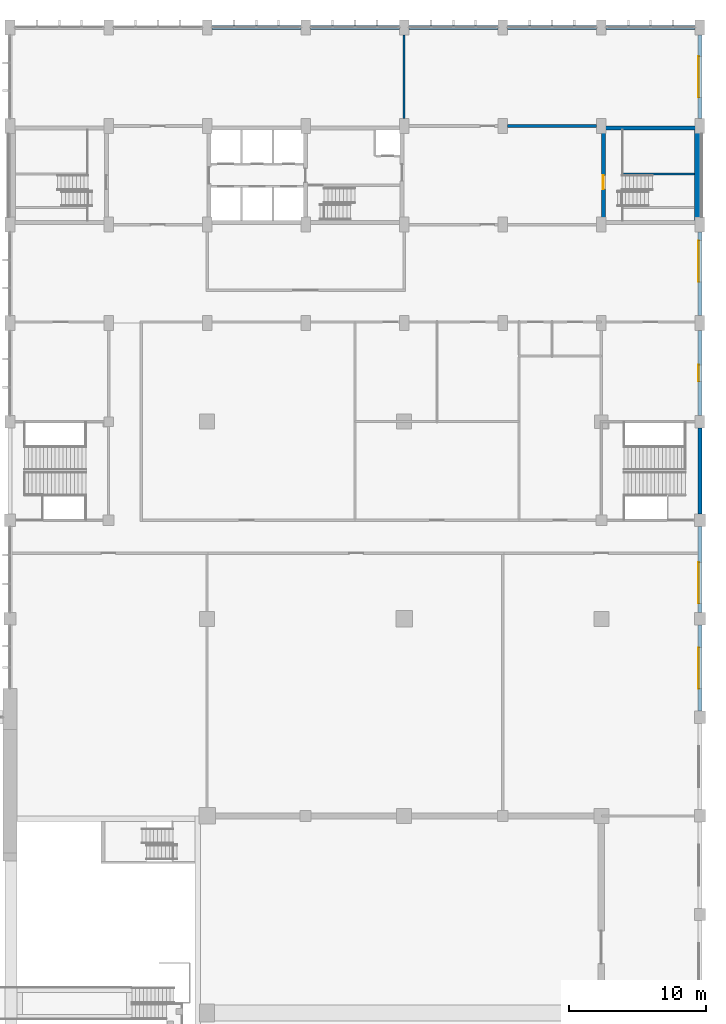
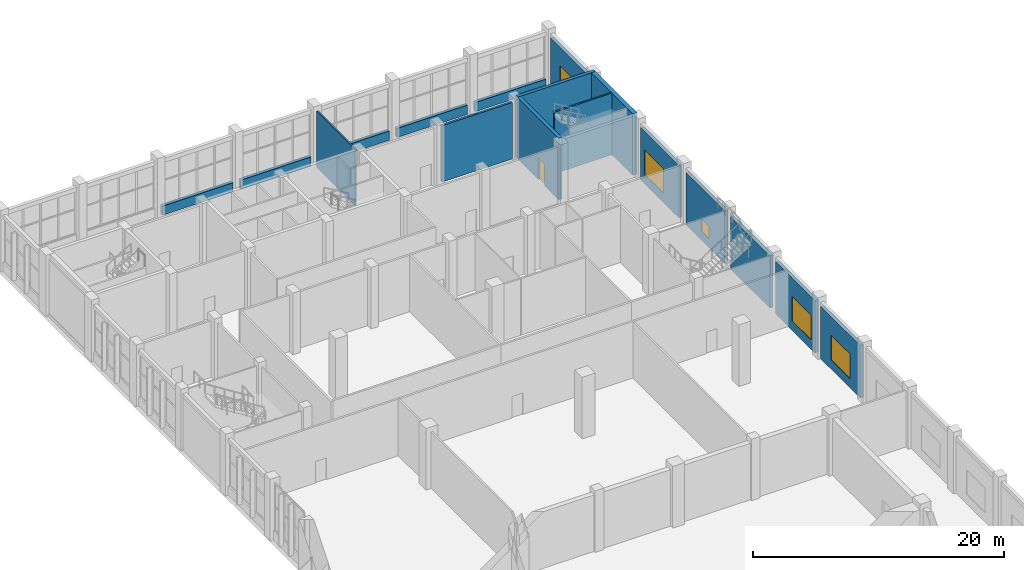
# One storey, part 37 of 44: 17 walls, 5 windows, 1 door, 6 openings.
"""IFC4 building model written with IfcOpenShell, lengths in metres."""

from ifc_helpers import new_model, si_unit, direction, frame, frame_2d, origin, place, context, subcontext, project, spatial, rectangle, extrude, material, layer, layer_set, type_object, element, fill, save


model = new_model("IFC4")

# Units and contexts
model_context = context("Model", 3, precision=1e-05, world=origin(), true_north=direction((0.0, 1.0)))
body_context = subcontext(model_context, "Body", "Model", "MODEL_VIEW")
ifc_project = project(units=[si_unit("LENGTHUNIT", "METRE"), si_unit("AREAUNIT", "SQUARE_METRE"), si_unit("VOLUMEUNIT", "CUBIC_METRE"), si_unit("PLANEANGLEUNIT", "RADIAN"), si_unit("MASSUNIT", "GRAM", prefix="KILO")], contexts=[model_context])

# Site, building, storey
site_placement = place(None, origin())
site = spatial("IfcSite", under=ifc_project, at=site_placement, CompositionType="ELEMENT")
building_placement = place(site_placement, origin())
building = spatial("IfcBuilding", under=site, at=building_placement, Name="Vermilion Court Aquatics Centre", CompositionType="ELEMENT")
storey_placement = place(building_placement, frame((0.0, 0.0, 6.0)))
storey = spatial("IfcBuildingStorey", under=building, at=storey_placement, Name="L01", CompositionType="ELEMENT", Elevation=6.0)

# Walls
ifc_material_1 = material(Name="Concrete 8000 psi", Category="concrete")
ifc_layer_1 = layer(ifc_material_1, 0.39990234375)
ifc_layer_set_1 = layer_set([ifc_layer_1], Name="North block core brick-faced shear wall 400")
wall_type_1 = type_object("IfcWallType", Name="North block core brick-faced shear wall 400", PredefinedType="SHEAR", material=ifc_layer_set_1)
wall_1_placement = place(storey_placement, frame((194.199951171875, 101.10009765625, 0.0), z_axis=(0.0, 0.0, 1.0), x_axis=(0.0, 1.0, 0.0)))
element("IfcWall", 1, at=wall_1_placement, inside=storey, type_object=wall_type_1, Name="Stair 2 shear wall outer L01", PredefinedType="SHEAR", context=body_context, shape_type="SweptSolid", body=[
    extrude(rectangle(XDim=6.599853515625, YDim=0.39990234375, at=frame_2d((3.2998046875, 0.0))), origin(), (0.0, 0.0, 1.0), 6.0),
])
ifc_material_2 = material(Name="Concrete 8000 psi", Category="concrete")
ifc_layer_2 = layer(ifc_material_2, 0.300048828125)
ifc_layer_set_2 = layer_set([ifc_layer_2], Name="North block core shear wall 300")
wall_type_2 = type_object("IfcWallType", Name="North block core shear wall 300", PredefinedType="SHEAR", material=ifc_layer_set_2)
wall_2_placement = place(storey_placement, frame((194.39990234375, 107.85009765625, 0.0), z_axis=(0.0, 0.0, 1.0), x_axis=(-1.0, 0.0, 0.0)))
element("IfcWall", 2, at=wall_2_placement, inside=storey, type_object=wall_type_2, Name="Stair 2 shear wall north L01", PredefinedType="SHEAR", context=body_context, shape_type="SweptSolid", body=[
    extrude(rectangle(XDim=7.199951171875, YDim=0.300048828125, at=frame_2d((3.60009765625, 0.0))), origin(), (0.0, 0.0, 1.0), 6.0),
])

# Wall, opening, door
wall_3_placement = place(storey_placement, frame((187.35009765625, 101.10009765625, 0.0), z_axis=(0.0, 0.0, 1.0), x_axis=(0.0, 1.0, 0.0)))
wall_3 = element("IfcWall", 3, at=wall_3_placement, inside=storey, type_object=wall_type_2, Name="Stair 2 shear wall inner L01", PredefinedType="SHEAR", context=body_context, shape_type="SweptSolid", body=[
    extrude(rectangle(XDim=6.599853515625, YDim=0.300048828125, at=frame_2d((3.2998046875, 0.0))), origin(), (0.0, 0.0, 1.0), 6.0),
])
opening_1_placement = place(wall_3_placement, frame((2.300048828125, 0.0, 0.0)))
opening_1 = element("IfcOpeningElement", 4, at=opening_1_placement, cuts=wall_3, Name="Opening U01-009", PredefinedType="OPENING", context=body_context, shape_type="SweptSolid", body=[
    extrude(rectangle(XDim=1.0, YDim=2.10009765625, at=frame_2d((0.5, 1.050048828125))), frame((0.0, 0.159912109375, 0.0), z_axis=(0.0, -1.0, 0.0), x_axis=(1.0, 0.0, 0.0)), (0.0, 0.0, 1.0), 0.320068359375),
])
ifc_material_3 = material(Name="Hollow metal")
door_type = type_object("IfcDoorType", Name="North block fire door FD90 1000x2100", OperationType="NOTDEFINED", PredefinedType="DOOR", material=ifc_material_3)
door_placement = place(opening_1_placement, frame((1.0, 0.0, 0.0), z_axis=(0.0, 0.0, 1.0), x_axis=(-1.0, 0.0, 0.0)))
door = element("IfcDoor", 5, at=door_placement, inside=storey, type_object=door_type, Name="Stair 2 door L01", OperationType="SINGLE_SWING_RIGHT", OverallHeight=2.10009765625, OverallWidth=1.0, PredefinedType="DOOR", context=body_context, shape_type="SweptSolid", body=[
    extrude(rectangle(XDim=1.0, YDim=2.10009765625, at=frame_2d((0.5, 1.050048828125))), frame((0.0, 0.025146484375, 0.0), z_axis=(0.0, -1.0, 0.0), x_axis=(1.0, 0.0, 0.0)), (0.0, 0.0, 1.0), 0.050048828125),
])
fill(opening_1, door)

# Walls
ifc_material_4 = material(Name="Concrete 5000 psi", Category="concrete")
ifc_layer_3 = layer(ifc_material_4, 0.14990234375)
ifc_layer_set_3 = layer_set([ifc_layer_3], Name="North block stair lane wall 150")
wall_type_3 = type_object("IfcWallType", Name="North block stair lane wall 150", PredefinedType="SHEAR", material=ifc_layer_set_3)
wall_4_placement = place(storey_placement, frame((188.699951171875, 104.5048828125, 0.0), z_axis=(0.0, 0.0, 1.0), x_axis=(1.0, 0.0, 0.0)))
element("IfcWall", 6, at=wall_4_placement, inside=storey, type_object=wall_type_3, Name="Stair 2 lane wall north L01", PredefinedType="SHEAR", context=body_context, shape_type="SweptSolid", body=[
    extrude(rectangle(XDim=5.300048828125, YDim=0.14990234375, at=frame_2d((2.64990234375, 0.0))), origin(), (0.0, 0.0, 1.0), 6.0),
])
ifc_material_5 = material(Name="Brick masonry", Category="masonry")
ifc_layer_4 = layer(ifc_material_5, 0.300048828125)
ifc_layer_set_4 = layer_set([ifc_layer_4], Name="Podium facade brick wall 300")
wall_type_4 = type_object("IfcWallType", Name="Podium facade brick wall 300", PredefinedType="SOLIDWALL", material=ifc_layer_set_4)
for number, where, z_axis, x_axis, name in (
    (7, (158.75, 115.199951171875, 0.0), (0.0, 0.0, 1.0), (1.0, 0.0, 0.0), "Facade sill wall L01"),
    (8, (165.949951171875, 115.199951171875, 0.0), (0.0, 0.0, 1.0), (1.0, 0.0, 0.0), "Facade sill wall L01"),
    (9, (173.14990234375, 115.199951171875, 0.0), (0.0, 0.0, 1.0), (1.0, 0.0, 0.0), "Facade sill wall L01"),
    (10, (180.35009765625, 115.199951171875, 0.0), (0.0, 0.0, 1.0), (1.0, 0.0, 0.0), "Facade sill wall L01"),
    (11, (187.550048828125, 115.199951171875, 0.0), (0.0, 0.0, 1.0), (1.0, 0.0, 0.0), "Facade sill wall L01"),
):
    element("IfcWall", number, at=place(storey_placement, frame(where, z_axis=z_axis, x_axis=x_axis)), inside=storey, type_object=wall_type_4, Name=name, PredefinedType="SOLIDWALL", context=body_context, shape_type="SweptSolid", body=[
        extrude(rectangle(XDim=6.5, YDim=0.300048828125, at=frame_2d((3.25, 0.0))), origin(), (0.0, 0.0, 1.0), 0.89990234375),
    ])

# Wall, opening, window
wall_5_placement = place(storey_placement, frame((194.39990234375, 65.25, 0.0), z_axis=(0.0, 0.0, 1.0), x_axis=(0.0, 1.0, 0.0)))
wall_5 = element("IfcWall", 12, at=wall_5_placement, inside=storey, type_object=wall_type_4, Name="Facade wall L01", PredefinedType="SOLIDWALL", context=body_context, shape_type="SweptSolid", body=[
    extrude(rectangle(XDim=6.300048828125, YDim=0.300048828125, at=frame_2d((3.14990234375, 0.0))), origin(), (0.0, 0.0, 1.0), 5.10009765625),
])
opening_2_placement = place(wall_5_placement, frame((1.64990234375, 0.0, 0.89990234375)))
opening_2 = element("IfcOpeningElement", 13, at=opening_2_placement, cuts=wall_5, Name="Opening PN1", PredefinedType="OPENING", context=body_context, shape_type="SweptSolid", body=[
    extrude(rectangle(XDim=3.0, YDim=2.39990234375, at=frame_2d((1.5, 1.199951171875))), frame((0.0, 0.159912109375, 0.0), z_axis=(0.0, -1.0, 0.0), x_axis=(1.0, 0.0, 0.0)), (0.0, 0.0, 1.0), 0.320068359375),
])
ifc_material_6 = material(Name="Aluminium 6063-T5", Category="aluminium")
window_type_1 = type_object("IfcWindowType", Name="Podium window 3000x2400", PartitioningType="DOUBLE_PANEL_VERTICAL", PredefinedType="WINDOW", material=ifc_material_6)
window_1_placement = place(opening_2_placement, origin())
window_1 = element("IfcWindow", 14, at=window_1_placement, inside=storey, type_object=window_type_1, Name="Window L01", OverallHeight=2.39990234375, OverallWidth=3.0, PartitioningType="DOUBLE_PANEL_VERTICAL", PredefinedType="WINDOW", context=body_context, shape_type="SweptSolid", body=[
    extrude(rectangle(XDim=3.0, YDim=2.39990234375, at=frame_2d((1.5, 1.199951171875))), frame((0.0, 0.1201171875, 0.0), z_axis=(0.0, -1.0, 0.0), x_axis=(1.0, 0.0, 0.0)), (0.0, 0.0, 1.0), 0.06005859375),
])
fill(opening_2, window_1)

wall_6_placement = place(storey_placement, frame((194.39990234375, 72.449951171875, 0.0), z_axis=(0.0, 0.0, 1.0), x_axis=(0.0, 1.0, 0.0)))
wall_6 = element("IfcWall", 15, at=wall_6_placement, inside=storey, type_object=wall_type_4, Name="Facade wall L01", PredefinedType="SOLIDWALL", context=body_context, shape_type="SweptSolid", body=[
    extrude(rectangle(XDim=6.300048828125, YDim=0.300048828125, at=frame_2d((3.14990234375, 0.0))), origin(), (0.0, 0.0, 1.0), 5.10009765625),
])
opening_3_placement = place(wall_6_placement, frame((0.675048828125, 0.0, 0.89990234375)))
opening_3 = element("IfcOpeningElement", 16, at=opening_3_placement, cuts=wall_6, Name="Opening PN1", PredefinedType="OPENING", context=body_context, shape_type="SweptSolid", body=[
    extrude(rectangle(XDim=3.0, YDim=2.39990234375, at=frame_2d((1.5, 1.199951171875))), frame((0.0, 0.159912109375, 0.0), z_axis=(0.0, -1.0, 0.0), x_axis=(1.0, 0.0, 0.0)), (0.0, 0.0, 1.0), 0.320068359375),
])
window_2_placement = place(opening_3_placement, origin())
window_2 = element("IfcWindow", 17, at=window_2_placement, inside=storey, type_object=window_type_1, Name="Window L01", OverallHeight=2.39990234375, OverallWidth=3.0, PartitioningType="DOUBLE_PANEL_VERTICAL", PredefinedType="WINDOW", context=body_context, shape_type="SweptSolid", body=[
    extrude(rectangle(XDim=3.0, YDim=2.39990234375, at=frame_2d((1.5, 1.199951171875))), frame((0.0, 0.1201171875, 0.0), z_axis=(0.0, -1.0, 0.0), x_axis=(1.0, 0.0, 0.0)), (0.0, 0.0, 1.0), 0.06005859375),
])
fill(opening_3, window_2)

# Wall
wall_7_placement = place(storey_placement, frame((194.39990234375, 79.64990234375, 0.0), z_axis=(0.0, 0.0, 1.0), x_axis=(0.0, 1.0, 0.0)))
element("IfcWall", 18, at=wall_7_placement, inside=storey, type_object=wall_type_4, Name="Facade wall L01", PredefinedType="SOLIDWALL", context=body_context, shape_type="SweptSolid", body=[
    extrude(rectangle(XDim=6.300048828125, YDim=0.300048828125, at=frame_2d((3.14990234375, 0.0))), origin(), (0.0, 0.0, 1.0), 5.10009765625),
])

# Wall, opening, window
wall_8_placement = place(storey_placement, frame((194.39990234375, 86.85009765625, 0.0), z_axis=(0.0, 0.0, 1.0), x_axis=(0.0, 1.0, 0.0)))
wall_8 = element("IfcWall", 19, at=wall_8_placement, inside=storey, type_object=wall_type_4, Name="Facade wall L01", PredefinedType="SOLIDWALL", context=body_context, shape_type="SweptSolid", body=[
    extrude(rectangle(XDim=6.199951171875, YDim=0.300048828125, at=frame_2d((3.10009765625, 0.0))), origin(), (0.0, 0.0, 1.0), 5.10009765625),
])
opening_4_placement = place(wall_8_placement, frame((2.5, 0.0, 0.89990234375)))
opening_4 = element("IfcOpeningElement", 20, at=opening_4_placement, cuts=wall_8, Name="Opening PN4", PredefinedType="OPENING", context=body_context, shape_type="SweptSolid", body=[
    extrude(rectangle(XDim=1.199951171875, YDim=1.199951171875, at=frame_2d((0.60009765625, 0.60009765625))), frame((0.0, 0.159912109375, 0.0), z_axis=(0.0, -1.0, 0.0), x_axis=(1.0, 0.0, 0.0)), (0.0, 0.0, 1.0), 0.320068359375),
])
ifc_material_7 = material(Name="Aluminium 6063-T5", Category="aluminium")
window_type_2 = type_object("IfcWindowType", Name="Podium window 1200x1200", PartitioningType="SINGLE_PANEL", PredefinedType="WINDOW", material=ifc_material_7)
window_3_placement = place(opening_4_placement, origin())
window_3 = element("IfcWindow", 21, at=window_3_placement, inside=storey, type_object=window_type_2, Name="Window L01", OverallHeight=1.199951171875, OverallWidth=1.199951171875, PartitioningType="SINGLE_PANEL", PredefinedType="WINDOW", context=body_context, shape_type="SweptSolid", body=[
    extrude(rectangle(XDim=1.199951171875, YDim=1.199951171875, at=frame_2d((0.60009765625, 0.60009765625))), frame((0.0, 0.1201171875, 0.0), z_axis=(0.0, -1.0, 0.0), x_axis=(1.0, 0.0, 0.0)), (0.0, 0.0, 1.0), 0.06005859375),
])
fill(opening_4, window_3)

wall_9_placement = place(storey_placement, frame((194.39990234375, 94.14990234375, 0.0), z_axis=(0.0, 0.0, 1.0), x_axis=(0.0, 1.0, 0.0)))
wall_9 = element("IfcWall", 22, at=wall_9_placement, inside=storey, type_object=wall_type_4, Name="Facade wall L01", PredefinedType="SOLIDWALL", context=body_context, shape_type="SweptSolid", body=[
    extrude(rectangle(XDim=6.10009765625, YDim=0.300048828125, at=frame_2d((3.050048828125, 0.0))), origin(), (0.0, 0.0, 1.0), 5.10009765625),
])
opening_5_placement = place(wall_9_placement, frame((2.47509765625, 0.0, 0.89990234375)))
opening_5 = element("IfcOpeningElement", 23, at=opening_5_placement, cuts=wall_9, Name="Opening PN1", PredefinedType="OPENING", context=body_context, shape_type="SweptSolid", body=[
    extrude(rectangle(XDim=3.0, YDim=2.39990234375, at=frame_2d((1.5, 1.199951171875))), frame((0.0, 0.159912109375, 0.0), z_axis=(0.0, -1.0, 0.0), x_axis=(1.0, 0.0, 0.0)), (0.0, 0.0, 1.0), 0.320068359375),
])
window_4_placement = place(opening_5_placement, origin())
window_4 = element("IfcWindow", 24, at=window_4_placement, inside=storey, type_object=window_type_1, Name="Window L01", OverallHeight=2.39990234375, OverallWidth=3.0, PartitioningType="DOUBLE_PANEL_VERTICAL", PredefinedType="WINDOW", context=body_context, shape_type="SweptSolid", body=[
    extrude(rectangle(XDim=3.0, YDim=2.39990234375, at=frame_2d((1.5, 1.199951171875))), frame((0.0, 0.1201171875, 0.0), z_axis=(0.0, -1.0, 0.0), x_axis=(1.0, 0.0, 0.0)), (0.0, 0.0, 1.0), 0.06005859375),
])
fill(opening_5, window_4)

wall_10_placement = place(storey_placement, frame((194.39990234375, 108.550048828125, 0.0), z_axis=(0.0, 0.0, 1.0), x_axis=(0.0, 1.0, 0.0)))
wall_10 = element("IfcWall", 25, at=wall_10_placement, inside=storey, type_object=wall_type_4, Name="Facade wall L01", PredefinedType="SOLIDWALL", context=body_context, shape_type="SweptSolid", body=[
    extrude(rectangle(XDim=6.099853515625, YDim=0.300048828125, at=frame_2d((3.0498046875, 0.0))), origin(), (0.0, 0.0, 1.0), 5.10009765625),
])
opening_6_placement = place(wall_10_placement, frame((1.550048828125, 0.0, 0.89990234375)))
opening_6 = element("IfcOpeningElement", 26, at=opening_6_placement, cuts=wall_10, Name="Opening PN1", PredefinedType="OPENING", context=body_context, shape_type="SweptSolid", body=[
    extrude(rectangle(XDim=3.0, YDim=2.39990234375, at=frame_2d((1.5, 1.199951171875))), frame((0.0, 0.159912109375, 0.0), z_axis=(0.0, -1.0, 0.0), x_axis=(1.0, 0.0, 0.0)), (0.0, 0.0, 1.0), 0.320068359375),
])
window_5_placement = place(opening_6_placement, origin())
window_5 = element("IfcWindow", 27, at=window_5_placement, inside=storey, type_object=window_type_1, Name="Window L01", OverallHeight=2.39990234375, OverallWidth=3.0, PartitioningType="DOUBLE_PANEL_VERTICAL", PredefinedType="WINDOW", context=body_context, shape_type="SweptSolid", body=[
    extrude(rectangle(XDim=3.0, YDim=2.39990234375, at=frame_2d((1.5, 1.199951171875))), frame((0.0, 0.1201171875, 0.0), z_axis=(0.0, -1.0, 0.0), x_axis=(1.0, 0.0, 0.0)), (0.0, 0.0, 1.0), 0.06005859375),
])
fill(opening_6, window_5)

# Walls
ifc_material_8 = material(Name="Concrete masonry ASTM C90 Type I", Category="masonry")
ifc_layer_5 = layer(ifc_material_8, 0.199951171875)
ifc_layer_set_5 = layer_set([ifc_layer_5], Name="Podium fire-rated partition 200, 1 hr")
wall_type_5 = type_object("IfcWallType", Name="Podium fire-rated partition 200, 1 hr", PredefinedType="PARTITIONING", material=ifc_layer_set_5)
wall_11_placement = place(storey_placement, frame((180.35009765625, 108.0, 0.0), z_axis=(0.0, 0.0, 1.0), x_axis=(1.0, 0.0, 0.0)))
element("IfcWall", 28, at=wall_11_placement, inside=storey, type_object=wall_type_5, Name="Fire-rated partition", PredefinedType="PARTITIONING", context=body_context, shape_type="SweptSolid", body=[
    extrude(rectangle(XDim=6.5, YDim=0.199951171875, at=frame_2d((3.25, 0.0))), origin(), (0.0, 0.0, 1.0), 5.5),
])
ifc_material_9 = material(Name="Gypsum board")
ifc_layer_6 = layer(ifc_material_9, 0.14990234375)
ifc_layer_set_6 = layer_set([ifc_layer_6], Name="Podium partition wall 150")
wall_type_6 = type_object("IfcWallType", Name="Podium partition wall 150", PredefinedType="PARTITIONING", material=ifc_layer_set_6)
wall_12_placement = place(storey_placement, frame((172.800048828125, 108.550048828125, 0.0), z_axis=(0.0, 0.0, 1.0), x_axis=(0.0, 1.0, 0.0)))
element("IfcWall", 29, at=wall_12_placement, inside=storey, type_object=wall_type_6, Name="Partition", PredefinedType="PARTITIONING", context=body_context, shape_type="SweptSolid", body=[
    extrude(rectangle(XDim=6.099853515625, YDim=0.14990234375, at=frame_2d((3.0498046875, 0.0))), origin(), (0.0, 0.0, 1.0), 5.5),
])

save(model, "model.ifc")
